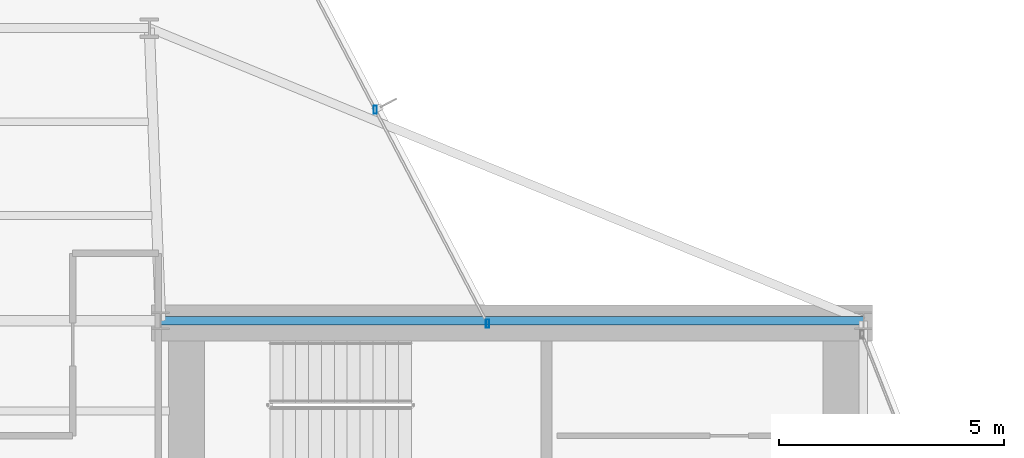
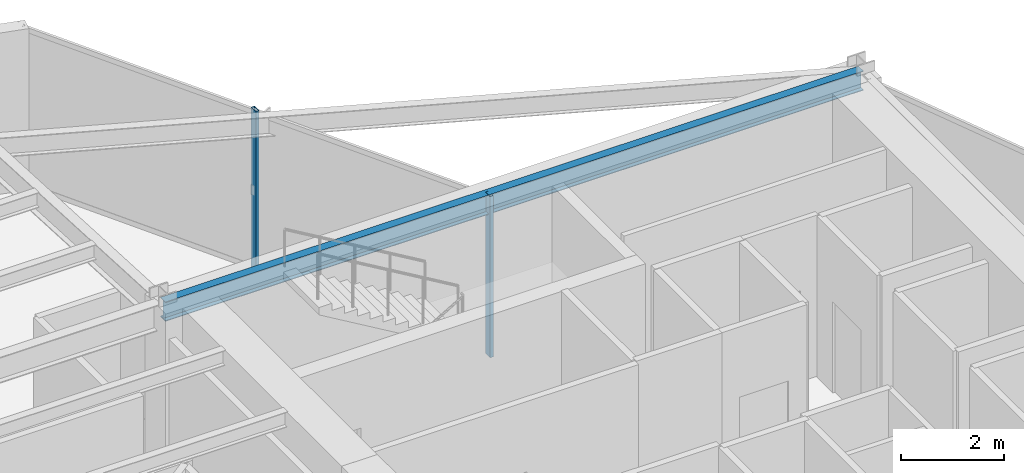
# One storey, part 15 of 25: 2 members, 1 beam, 1 element without a shape of its own.
"""IFC4 building model written with IfcOpenShell, lengths in metres."""

from ifc_helpers import new_model, si_unit, direction, frame, origin, origin_2d, place, context, subcontext, project, spatial, hollow_rectangle, i_section, extrude, material, layer, layer_set, material_profile, profile_set, type_object, element, aggregate, save


model = new_model("IFC4")

# Units and contexts
model_context = context("Model", 3, precision=1e-05, world=origin(), true_north=direction((0.0, 1.0)))
body_context = subcontext(model_context, "Body", "Model", "MODEL_VIEW")
ifc_project = project(units=[si_unit("LENGTHUNIT", "METRE"), si_unit("AREAUNIT", "SQUARE_METRE"), si_unit("VOLUMEUNIT", "CUBIC_METRE"), si_unit("PLANEANGLEUNIT", "RADIAN"), si_unit("MASSUNIT", "GRAM", prefix="KILO")], contexts=[model_context])

# Site, building, storey
site_placement = place(None, origin())
site = spatial("IfcSite", under=ifc_project, at=site_placement, CompositionType="ELEMENT")
building_placement = place(site_placement, origin())
building = spatial("IfcBuilding", under=site, at=building_placement, Name="Veymaron Broadcast Tower", CompositionType="ELEMENT")
storey_placement = place(building_placement, frame((0.0, 0.0, 141.14990234375)))
storey = spatial("IfcBuildingStorey", under=building, at=storey_placement, Name="L32", CompositionType="ELEMENT", Elevation=141.14990234375)

# Beam
ifc_material_1 = material(Name="Structural steel ASTM A992 Gr 50", Category="steel")
ifc_material_profile_1 = material_profile(ifc_material_1, i_section(OverallWidth=0.19091796875, OverallDepth=0.4599609375, WebThickness=0.010009765625, FlangeThickness=0.01611328125, at=origin_2d()), Name="W460X82")
ifc_profile_set_1 = profile_set([ifc_material_profile_1], Name="Structural steel ASTM A992 Gr 50")
beam_type = type_object("IfcBeamType", Name="BM-SP1", PredefinedType="SPANDREL", material=ifc_profile_set_1)
beam_placement = place(storey_placement, frame((39.0, 32.0, 3.580078125), z_axis=(1.0, 0.0, 0.0), x_axis=(0.0, 1.0, 0.0)))
element("IfcBeam", 1, at=beam_placement, inside=storey, type_object=beam_type, Name="L32 primary structural floor girder", PredefinedType="SPANDREL", context=body_context, shape_type="SweptSolid", body=[
    extrude(i_section(OverallWidth=0.19091796875, OverallDepth=0.4599609375, WebThickness=0.010009765625, FlangeThickness=0.01611328125, at=origin_2d()), origin(), (0.0, 0.0, 1.0), 15.60009765625),
])

# Curtain wall, members
ifc_material_2 = material(Name="Anodised aluminium AA 6063-T6 and laminated low-E dark glass", Category="aluminium")
ifc_layer = layer(ifc_material_2, 0.179931640625)
ifc_layer_set = layer_set([ifc_layer], Name="Anodised aluminium AA 6063-T6 and laminated low-E dark glass")
curtain_wall_type = type_object("IfcCurtainWallType", Name="CW-SYS-03", PredefinedType="NOTDEFINED", material=ifc_layer_set)
curtain_wall_placement = place(storey_placement, origin())
curtain_wall = element("IfcCurtainWall", 2, at=curtain_wall_placement, inside=storey, type_object=curtain_wall_type, Name="L32 dark-glass curtain wall CW-L32-E5-1", PredefinedType="NOTDEFINED")
ifc_material_3 = material(Name="Anodised aluminium AA 6063-T6", Category="aluminium")
ifc_material_profile_2 = material_profile(ifc_material_3, hollow_rectangle(XDim=0.074951171875, YDim=0.179931640625, WallThickness=0.0048828125, at=origin_2d()), Name="AL180X75X5")
ifc_profile_set_2 = profile_set([ifc_material_profile_2], Name="Anodised aluminium AA 6063-T6")
member_type = type_object("IfcMemberType", Name="CW-MUL-02", PredefinedType="MULLION", material=ifc_profile_set_2)
member_1_placement = place(storey_placement, frame((46.25634765625, 31.93505859375, 0.0), z_axis=(0.0, 0.0, 1.0), x_axis=(1.0, 0.0, 0.0)))
member_1 = element("IfcMember", 3, at=member_1_placement, type_object=member_type, Name="CW-L32-E5-1 mullion 0", PredefinedType="MULLION", context=body_context, shape_type="SweptSolid", body=[
    extrude(hollow_rectangle(XDim=0.074951171875, YDim=0.179931640625, WallThickness=0.0048828125, at=origin_2d()), origin(), (0.0, 0.0, 1.0), 3.81005859375),
])
member_2_placement = place(storey_placement, frame((43.76513671875, 36.68505859375, 0.0), z_axis=(0.0, 0.0, 1.0), x_axis=(1.0, 0.0, 0.0)))
member_2 = element("IfcMember", 4, at=member_2_placement, type_object=member_type, Name="CW-L32-E5-1 mullion 1", PredefinedType="MULLION", context=body_context, shape_type="SweptSolid", body=[
    extrude(hollow_rectangle(XDim=0.074951171875, YDim=0.179931640625, WallThickness=0.0048828125, at=origin_2d()), origin(), (0.0, 0.0, 1.0), 3.81005859375),
])
aggregate(curtain_wall, [member_1, member_2])

save(model, "model.ifc")
